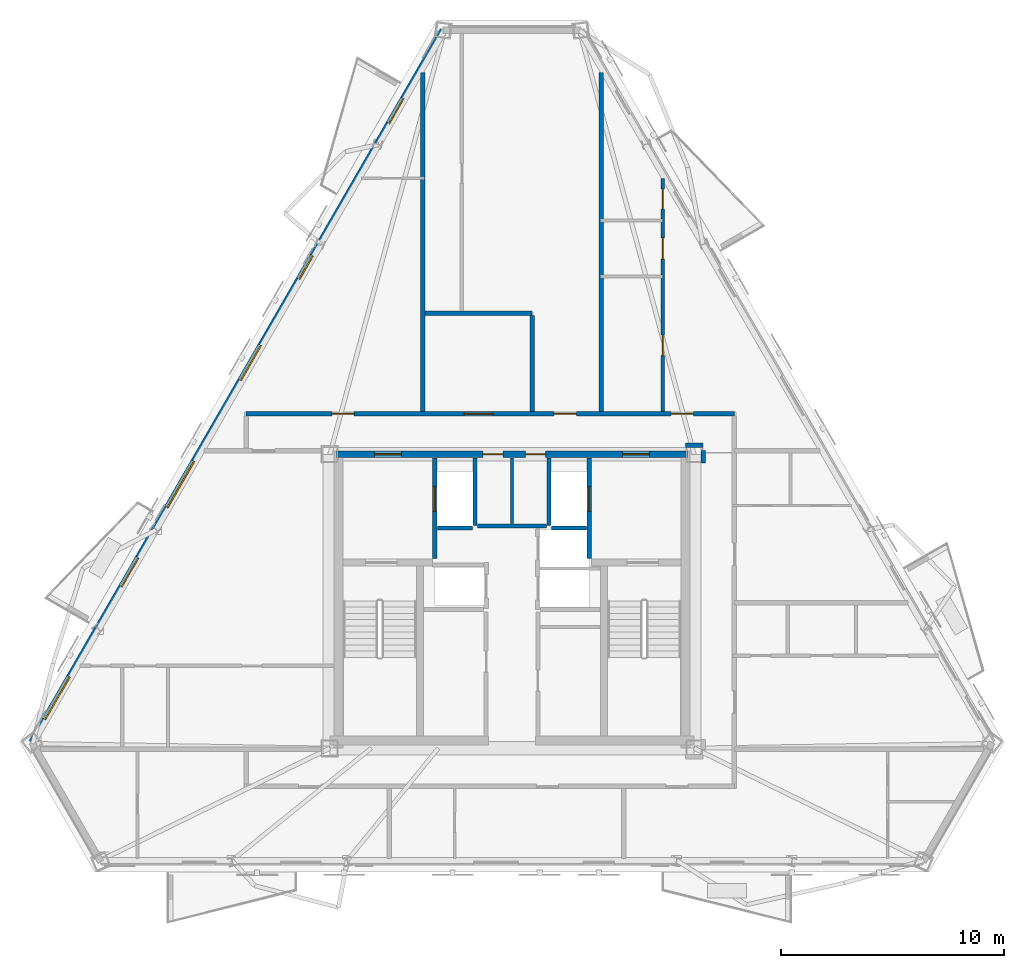
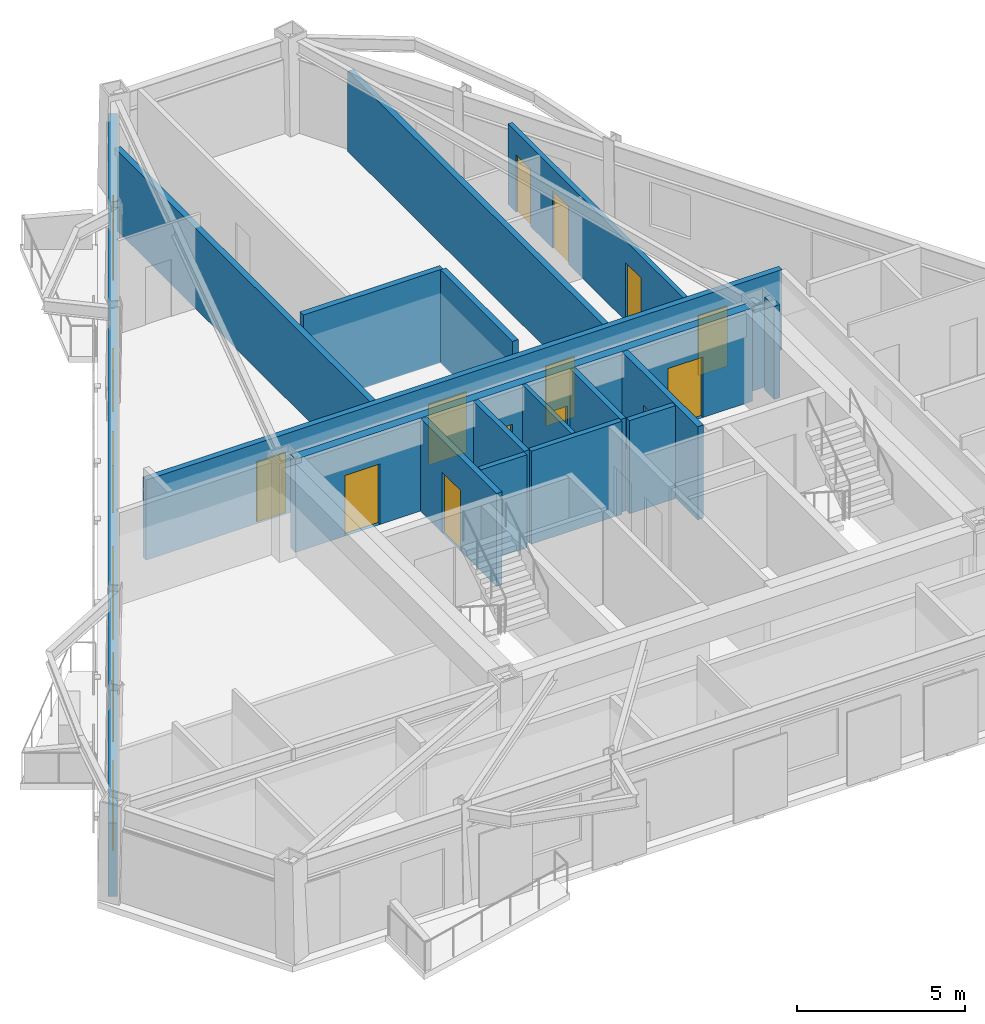
# One storey, part 4 of 9: 18 walls, 15 doors, 4 windows, 19 openings.
"""IFC4 building model written with IfcOpenShell, lengths in metres."""

from ifc_helpers import new_model, si_unit, direction, frame, frame_2d, origin, place, context, subcontext, project, spatial, rectangle, extrude, material, layer, layer_set, type_object, element, fill, save


model = new_model("IFC4")

# Units and contexts
model_context = context("Model", 3, precision=1e-05, world=origin(), true_north=direction((0.0, 1.0)))
body_context = subcontext(model_context, "Body", "Model", "MODEL_VIEW")
ifc_project = project(units=[si_unit("LENGTHUNIT", "METRE"), si_unit("AREAUNIT", "SQUARE_METRE"), si_unit("VOLUMEUNIT", "CUBIC_METRE"), si_unit("PLANEANGLEUNIT", "RADIAN"), si_unit("MASSUNIT", "GRAM", prefix="KILO")], contexts=[model_context])

# Site, building, storey
site_placement = place(None, origin())
site = spatial("IfcSite", under=ifc_project, at=site_placement, CompositionType="ELEMENT")
building_placement = place(site_placement, origin())
building = spatial("IfcBuilding", under=site, at=building_placement, Name="Oramaril Tower", CompositionType="ELEMENT")
storey_placement = place(building_placement, frame((0.0, 0.0, 230.699951171875)))
storey = spatial("IfcBuildingStorey", under=building, at=storey_placement, Name="L61", CompositionType="ELEMENT", Elevation=230.699951171875)

# Wall, openings, doors, windows
ifc_material_1 = material(Name="Warm Cream Limestone", Category="masonry")
ifc_layer_1 = layer(ifc_material_1, 0.2900390625)
ifc_layer_set_1 = layer_set([ifc_layer_1], Name="WT-EXT29")
wall_type_1 = type_object("IfcWallType", Name="WT-EXT29", PredefinedType="SOLIDWALL", material=ifc_layer_set_1)
wall_1_placement = place(storey_placement, frame((34.41357421875, 43.125732421875, 0.0), z_axis=(0.0, 0.0, 1.0), x_axis=(-0.50000331183, -0.86602349169, 0.0)))
wall_1 = element("IfcWall", 1, at=wall_1_placement, inside=storey, type_object=wall_type_1, Name="L61 Tower Limestone Facade Wall 6M", PredefinedType="SOLIDWALL", context=body_context, shape_type="SweptSolid", body=[
    extrude(rectangle(XDim=36.795166015625, YDim=0.2900390625, at=frame_2d((18.3974609375, 0.0))), origin(), (0.0, 0.0, 1.0), 2.677001953125),
])
opening_1_placement = place(wall_1_placement, frame((3.529296875, 0.0, 0.0)))
opening_1 = element("IfcOpeningElement", 2, at=opening_1_placement, cuts=wall_1, Name="Opening D-L61-BAL-NW1", PredefinedType="OPENING", context=body_context, shape_type="SweptSolid", body=[
    extrude(rectangle(XDim=1.300048828125, YDim=2.199951171875, at=frame_2d((0.64990234375, 1.10009765625))), frame((0.0, 0.14501953125, 0.0), z_axis=(0.0, -1.0, 0.0), x_axis=(1.0, 0.0, 0.0)), (0.0, 0.0, 1.0), 0.2900390625),
])
opening_2_placement = place(wall_1_placement, frame((27.2607421875, 0.0, 0.0)))
opening_2 = element("IfcOpeningElement", 3, at=opening_2_placement, cuts=wall_1, Name="Opening D-L61-BAL-NW2", PredefinedType="OPENING", context=body_context, shape_type="SweptSolid", body=[
    extrude(rectangle(XDim=1.5, YDim=2.199951171875, at=frame_2d((0.75, 1.10009765625))), frame((0.0, 0.14501953125, 0.0), z_axis=(0.0, -1.0, 0.0), x_axis=(1.0, 0.0, 0.0)), (0.0, 0.0, 1.0), 0.2900390625),
])
opening_3_placement = place(wall_1_placement, frame((22.271240234375, 0.0, 0.85009765625)))
opening_3 = element("IfcOpeningElement", 4, at=opening_3_placement, cuts=wall_1, Name="Opening WN-03", PredefinedType="OPENING", context=body_context, shape_type="SweptSolid", body=[
    extrude(rectangle(XDim=2.39990234375, YDim=1.717041015625, at=frame_2d((1.199951171875, 0.8583984375))), frame((0.0, 0.14501953125, 0.0), z_axis=(0.0, -1.0, 0.0), x_axis=(1.0, 0.0, 0.0)), (0.0, 0.0, 1.0), 0.2900390625),
])
opening_4_placement = place(wall_1_placement, frame((33.406005859375, 0.0, 0.85009765625)))
opening_4 = element("IfcOpeningElement", 5, at=opening_4_placement, cuts=wall_1, Name="Opening WN-04", PredefinedType="OPENING", context=body_context, shape_type="SweptSolid", body=[
    extrude(rectangle(XDim=2.199951171875, YDim=1.717041015625, at=frame_2d((1.10009765625, 0.8583984375))), frame((0.0, 0.14501953125, 0.0), z_axis=(0.0, -1.0, 0.0), x_axis=(1.0, 0.0, 0.0)), (0.0, 0.0, 1.0), 0.2900390625),
])
opening_5_placement = place(wall_1_placement, frame((11.662109375, 0.0, 0.85009765625)))
opening_5 = element("IfcOpeningElement", 6, at=opening_5_placement, cuts=wall_1, Name="Opening WN-09", PredefinedType="OPENING", context=body_context, shape_type="SweptSolid", body=[
    extrude(rectangle(XDim=1.199951171875, YDim=1.47998046875, at=frame_2d((0.60009765625, 0.739990234375))), frame((0.0, 0.14501953125, 0.0), z_axis=(0.0, -1.0, 0.0), x_axis=(1.0, 0.0, 0.0)), (0.0, 0.0, 1.0), 0.2900390625),
])
opening_6_placement = place(wall_1_placement, frame((16.29541015625, 0.0, 0.85009765625)))
opening_6 = element("IfcOpeningElement", 7, at=opening_6_placement, cuts=wall_1, Name="Opening WN-06", PredefinedType="OPENING", context=body_context, shape_type="SweptSolid", body=[
    extrude(rectangle(XDim=1.800048828125, YDim=1.717041015625, at=frame_2d((0.89990234375, 0.8583984375))), frame((0.0, 0.14501953125, 0.0), z_axis=(0.0, -1.0, 0.0), x_axis=(1.0, 0.0, 0.0)), (0.0, 0.0, 1.0), 0.2900390625),
])
ifc_material_2 = material(Name="Anodised Aluminium 6063-T6", Category="aluminium")
door_type_1 = type_object("IfcDoorType", Name="DT-BAL", OperationType="NOTDEFINED", PredefinedType="DOOR", material=ifc_material_2)
door_1_placement = place(opening_2_placement, origin())
door_1 = element("IfcDoor", 8, at=door_1_placement, inside=storey, type_object=door_type_1, Name="L61 Balcony Glazed Door L61-BAL-NW2", OperationType="SINGLE_SWING_LEFT", OverallHeight=2.199951171875, OverallWidth=1.5, PredefinedType="DOOR", context=body_context, shape_type="SweptSolid", body=[
    extrude(rectangle(XDim=1.5, YDim=2.199951171875, at=frame_2d((0.75, 1.10009765625))), frame((0.0, 0.02490234375, 0.0), z_axis=(0.0, -1.0, 0.0), x_axis=(1.0, 0.0, 0.0)), (0.0, 0.0, 1.0), 0.050048828125),
])
fill(opening_2, door_1)
ifc_material_3 = material(Name="Anodised Aluminium 6063-T6", Category="aluminium")
door_type_2 = type_object("IfcDoorType", Name="DT-E2", OperationType="NOTDEFINED", PredefinedType="DOOR", material=ifc_material_3)
door_2_placement = place(opening_1_placement, origin())
door_2 = element("IfcDoor", 9, at=door_2_placement, inside=storey, type_object=door_type_2, Name="L61 Balcony Glazed Door L61-BAL-NW1", OperationType="SINGLE_SWING_RIGHT", OverallHeight=2.199951171875, OverallWidth=1.300048828125, PredefinedType="DOOR", context=body_context, shape_type="SweptSolid", body=[
    extrude(rectangle(XDim=1.300048828125, YDim=2.199951171875, at=frame_2d((0.64990234375, 1.10009765625))), frame((0.0, 0.02490234375, 0.0), z_axis=(0.0, -1.0, 0.0), x_axis=(1.0, 0.0, 0.0)), (0.0, 0.0, 1.0), 0.050048828125),
])
fill(opening_1, door_2)
ifc_material_4 = material(Name="Coastal Low-E Insulated Glass", Category="glass")
window_type_1 = type_object("IfcWindowType", Name="WNT-03", PartitioningType="SINGLE_PANEL", PredefinedType="WINDOW", material=ifc_material_4)
window_1_placement = place(opening_3_placement, origin())
window_1 = element("IfcWindow", 10, at=window_1_placement, inside=storey, type_object=window_type_1, Name="L61 Chicago Bay Window WN-03", OverallHeight=1.717041015625, OverallWidth=2.39990234375, PartitioningType="SINGLE_PANEL", PredefinedType="WINDOW", context=body_context, shape_type="SweptSolid", body=[
    extrude(rectangle(XDim=2.39990234375, YDim=1.717041015625, at=frame_2d((1.199951171875, 0.8583984375))), frame((0.0, 0.030029296875, 0.0), z_axis=(0.0, -1.0, 0.0), x_axis=(1.0, 0.0, 0.0)), (0.0, 0.0, 1.0), 0.06005859375),
])
fill(opening_3, window_1)
ifc_material_5 = material(Name="Coastal Low-E Insulated Glass", Category="glass")
window_type_2 = type_object("IfcWindowType", Name="WNT-04", PartitioningType="SINGLE_PANEL", PredefinedType="WINDOW", material=ifc_material_5)
window_2_placement = place(opening_4_placement, origin())
window_2 = element("IfcWindow", 11, at=window_2_placement, inside=storey, type_object=window_type_2, Name="L61 Chicago Bay Window WN-04", OverallHeight=1.717041015625, OverallWidth=2.199951171875, PartitioningType="SINGLE_PANEL", PredefinedType="WINDOW", context=body_context, shape_type="SweptSolid", body=[
    extrude(rectangle(XDim=2.199951171875, YDim=1.717041015625, at=frame_2d((1.10009765625, 0.8583984375))), frame((0.0, 0.030029296875, 0.0), z_axis=(0.0, -1.0, 0.0), x_axis=(1.0, 0.0, 0.0)), (0.0, 0.0, 1.0), 0.06005859375),
])
fill(opening_4, window_2)
ifc_material_6 = material(Name="Coastal Low-E Insulated Glass", Category="glass")
window_type_3 = type_object("IfcWindowType", Name="WNT-06", PartitioningType="SINGLE_PANEL", PredefinedType="WINDOW", material=ifc_material_6)
window_3_placement = place(opening_6_placement, origin())
window_3 = element("IfcWindow", 12, at=window_3_placement, inside=storey, type_object=window_type_3, Name="L61 Chicago Bay Window WN-06", OverallHeight=1.717041015625, OverallWidth=1.800048828125, PartitioningType="SINGLE_PANEL", PredefinedType="WINDOW", context=body_context, shape_type="SweptSolid", body=[
    extrude(rectangle(XDim=1.800048828125, YDim=1.717041015625, at=frame_2d((0.89990234375, 0.8583984375))), frame((0.0, 0.030029296875, 0.0), z_axis=(0.0, -1.0, 0.0), x_axis=(1.0, 0.0, 0.0)), (0.0, 0.0, 1.0), 0.06005859375),
])
fill(opening_6, window_3)
ifc_material_7 = material(Name="Coastal Low-E Insulated Glass", Category="glass")
window_type_4 = type_object("IfcWindowType", Name="WNT-09", PartitioningType="SINGLE_PANEL", PredefinedType="WINDOW", material=ifc_material_7)
window_4_placement = place(opening_5_placement, origin())
window_4 = element("IfcWindow", 13, at=window_4_placement, inside=storey, type_object=window_type_4, Name="L61 Chicago Bay Window WN-09", OverallHeight=1.47998046875, OverallWidth=1.199951171875, PartitioningType="SINGLE_PANEL", PredefinedType="WINDOW", context=body_context, shape_type="SweptSolid", body=[
    extrude(rectangle(XDim=1.199951171875, YDim=1.47998046875, at=frame_2d((0.60009765625, 0.739990234375))), frame((0.0, 0.030029296875, 0.0), z_axis=(0.0, -1.0, 0.0), x_axis=(1.0, 0.0, 0.0)), (0.0, 0.0, 1.0), 0.06005859375),
])
fill(opening_5, window_4)

# Wall
ifc_material_8 = material(Name="Acoustic Gypsum Board Partition")
ifc_layer_2 = layer(ifc_material_8, 0.139892578125)
ifc_layer_set_2 = layer_set([ifc_layer_2], Name="WT-PT14")
wall_type_2 = type_object("IfcWallType", Name="WT-PT14", PredefinedType="PARTITIONING", material=ifc_layer_set_2)
wall_2_placement = place(storey_placement, frame((37.5, 21.06005859375, 0.0), z_axis=(0.0, 0.0, 1.0), x_axis=(0.0, 1.0, 0.0)))
element("IfcWall", 14, at=wall_2_placement, inside=storey, type_object=wall_type_2, Name="L61 Core Service Divider", PredefinedType="PARTITIONING", context=body_context, shape_type="SweptSolid", body=[
    extrude(rectangle(XDim=2.919921875, YDim=0.139892578125, at=frame_2d((1.4599609375, 0.0))), origin(), (0.0, 0.0, 1.0), 3.380126953125),
])

# Wall, openings, doors
ifc_material_9 = material(Name="Acoustic Gypsum Board Partition")
ifc_layer_3 = layer(ifc_material_9, 0.159912109375)
ifc_layer_set_3 = layer_set([ifc_layer_3], Name="WT-PT16")
wall_type_3 = type_object("IfcWallType", Name="WT-PT16", PredefinedType="PARTITIONING", material=ifc_layer_set_3)
wall_3_placement = place(storey_placement, frame((44.239990234375, 26.073974609375, 0.0), z_axis=(0.0, 0.0, 1.0), x_axis=(0.0, 1.0, 0.0)))
wall_3 = element("IfcWall", 15, at=wall_3_placement, inside=storey, type_object=wall_type_3, Name="L61 Interior Partition PT-16", PredefinedType="PARTITIONING", context=body_context, shape_type="SweptSolid", body=[
    extrude(rectangle(XDim=10.42578125, YDim=0.159912109375, at=frame_2d((5.212890625, 0.0))), origin(), (0.0, 0.0, 1.0), 2.9130859375),
])
opening_7_placement = place(wall_3_placement, frame((2.491943359375, 0.0, 0.0)))
opening_7 = element("IfcOpeningElement", 16, at=opening_7_placement, cuts=wall_3, Name="Opening D-L61-21", PredefinedType="OPENING", context=body_context, shape_type="SweptSolid", body=[
    extrude(rectangle(XDim=0.919921875, YDim=2.1201171875, at=frame_2d((0.4599609375, 1.06005859375))), frame((0.0, 0.080078125, 0.0), z_axis=(0.0, -1.0, 0.0), x_axis=(1.0, 0.0, 0.0)), (0.0, 0.0, 1.0), 0.159912109375),
])
opening_8_placement = place(wall_3_placement, frame((6.814453125, 0.0, 0.0)))
opening_8 = element("IfcOpeningElement", 17, at=opening_8_placement, cuts=wall_3, Name="Opening D-L61-22", PredefinedType="OPENING", context=body_context, shape_type="SweptSolid", body=[
    extrude(rectangle(XDim=0.949951171875, YDim=2.10009765625, at=frame_2d((0.47509765625, 1.050048828125))), frame((0.0, 0.080078125, 0.0), z_axis=(0.0, -1.0, 0.0), x_axis=(1.0, 0.0, 0.0)), (0.0, 0.0, 1.0), 0.159912109375),
])
opening_9_placement = place(wall_3_placement, frame((9.060791015625, 0.0, 0.0)))
opening_9 = element("IfcOpeningElement", 18, at=opening_9_placement, cuts=wall_3, Name="Opening D-L61-23", PredefinedType="OPENING", context=body_context, shape_type="SweptSolid", body=[
    extrude(rectangle(XDim=0.8798828125, YDim=2.080078125, at=frame_2d((0.43994140625, 1.0400390625))), frame((0.0, 0.080078125, 0.0), z_axis=(0.0, -1.0, 0.0), x_axis=(1.0, 0.0, 0.0)), (0.0, 0.0, 1.0), 0.159912109375),
])
ifc_material_10 = material(Name="FSC Brazilian Freijo Hardwood", Category="wood")
door_type_3 = type_object("IfcDoorType", Name="DT-BATH", OperationType="NOTDEFINED", PredefinedType="DOOR", material=ifc_material_10)
door_3_placement = place(opening_9_placement, origin())
door_3 = element("IfcDoor", 19, at=door_3_placement, inside=storey, type_object=door_type_3, Name="L61 Flat L61-U9 Bathroom Door D-L61-23", OperationType="SINGLE_SWING_RIGHT", OverallHeight=2.080078125, OverallWidth=0.8798828125, PredefinedType="DOOR", context=body_context, shape_type="SweptSolid", body=[
    extrude(rectangle(XDim=0.8798828125, YDim=2.080078125, at=frame_2d((0.43994140625, 1.0400390625))), frame((0.0, 0.02490234375, 0.0), z_axis=(0.0, -1.0, 0.0), x_axis=(1.0, 0.0, 0.0)), (0.0, 0.0, 1.0), 0.050048828125),
])
fill(opening_9, door_3)
ifc_material_11 = material(Name="FSC Brazilian Freijo Hardwood", Category="wood")
door_type_4 = type_object("IfcDoorType", Name="DT-BED", OperationType="NOTDEFINED", PredefinedType="DOOR", material=ifc_material_11)
door_4_placement = place(opening_7_placement, origin())
door_4 = element("IfcDoor", 20, at=door_4_placement, inside=storey, type_object=door_type_4, Name="L61 Flat L61-U9 Master Bedroom Door D-L61-21", OperationType="SINGLE_SWING_RIGHT", OverallHeight=2.1201171875, OverallWidth=0.919921875, PredefinedType="DOOR", context=body_context, shape_type="SweptSolid", body=[
    extrude(rectangle(XDim=0.919921875, YDim=2.1201171875, at=frame_2d((0.4599609375, 1.06005859375))), frame((0.0, 0.02490234375, 0.0), z_axis=(0.0, -1.0, 0.0), x_axis=(1.0, 0.0, 0.0)), (0.0, 0.0, 1.0), 0.050048828125),
])
fill(opening_7, door_4)
ifc_material_12 = material(Name="FSC Brazilian Freijo Hardwood", Category="wood")
door_type_5 = type_object("IfcDoorType", Name="DT-STDY", OperationType="NOTDEFINED", PredefinedType="DOOR", material=ifc_material_12)
door_5_placement = place(opening_8_placement, origin())
door_5 = element("IfcDoor", 21, at=door_5_placement, inside=storey, type_object=door_type_5, Name="L61 Flat L61-U9 Kitchen Door D-L61-22", OperationType="SINGLE_SWING_LEFT", OverallHeight=2.10009765625, OverallWidth=0.949951171875, PredefinedType="DOOR", context=body_context, shape_type="SweptSolid", body=[
    extrude(rectangle(XDim=0.949951171875, YDim=2.10009765625, at=frame_2d((0.47509765625, 1.050048828125))), frame((0.0, 0.02490234375, 0.0), z_axis=(0.0, -1.0, 0.0), x_axis=(1.0, 0.0, 0.0)), (0.0, 0.0, 1.0), 0.050048828125),
])
fill(opening_8, door_5)

# Walls
ifc_material_13 = material(Name="Autoclaved Cellular Concrete Block", Category="concrete")
ifc_layer_4 = layer(ifc_material_13, 0.179931640625)
ifc_layer_set_4 = layer_set([ifc_layer_4], Name="WT-PT18")
wall_type_4 = type_object("IfcWallType", Name="WT-PT18", PredefinedType="PARTITIONING", material=ifc_layer_set_4)
wall_4_placement = place(storey_placement, frame((35.840087890625, 20.9599609375, 0.0), z_axis=(0.0, 0.0, 1.0), x_axis=(0.0, 1.0, 0.0)))
element("IfcWall", 22, at=wall_4_placement, inside=storey, type_object=wall_type_4, Name="L61 FL-1 East Shaft Wall", PredefinedType="PARTITIONING", context=body_context, shape_type="SweptSolid", body=[
    extrude(rectangle(XDim=3.02001953125, YDim=0.179931640625, at=frame_2d((1.510009765625, 0.0))), origin(), (0.0, 0.0, 1.0), 3.380126953125),
])
wall_5_placement = place(storey_placement, frame((34.159912109375, 20.860107421875, 0.0), z_axis=(0.0, 0.0, 1.0), x_axis=(1.0, 0.0, 0.0)))
element("IfcWall", 23, at=wall_5_placement, inside=storey, type_object=wall_type_4, Name="L61 FL-1 South Shaft Wall", PredefinedType="PARTITIONING", context=body_context, shape_type="SweptSolid", body=[
    extrude(rectangle(XDim=1.580078125, YDim=0.179931640625, at=frame_2d((0.7900390625, 0.0))), origin(), (0.0, 0.0, 1.0), 3.380126953125),
])
wall_6_placement = place(storey_placement, frame((39.159912109375, 20.9599609375, 0.0), z_axis=(0.0, 0.0, 1.0), x_axis=(0.0, 1.0, 0.0)))
element("IfcWall", 24, at=wall_6_placement, inside=storey, type_object=wall_type_4, Name="L61 FL-2 West Shaft Wall", PredefinedType="PARTITIONING", context=body_context, shape_type="SweptSolid", body=[
    extrude(rectangle(XDim=3.02001953125, YDim=0.179931640625, at=frame_2d((1.510009765625, 0.0))), origin(), (0.0, 0.0, 1.0), 3.380126953125),
])
wall_7_placement = place(storey_placement, frame((39.260009765625, 20.860107421875, 0.0), z_axis=(0.0, 0.0, 1.0), x_axis=(1.0, 0.0, 0.0)))
element("IfcWall", 25, at=wall_7_placement, inside=storey, type_object=wall_type_4, Name="L61 FL-2 South Shaft Wall", PredefinedType="PARTITIONING", context=body_context, shape_type="SweptSolid", body=[
    extrude(rectangle(XDim=1.580078125, YDim=0.179931640625, at=frame_2d((0.7900390625, 0.0))), origin(), (0.0, 0.0, 1.0), 3.380126953125),
])
wall_8_placement = place(storey_placement, frame((35.949951171875, 20.949951171875, 0.0), z_axis=(0.0, 0.0, 1.0), x_axis=(1.0, 0.0, 0.0)))
element("IfcWall", 26, at=wall_8_placement, inside=storey, type_object=wall_type_4, Name="L61 Lift Lobby North Partition", PredefinedType="PARTITIONING", context=body_context, shape_type="SweptSolid", body=[
    extrude(rectangle(XDim=3.10009765625, YDim=0.179931640625, at=frame_2d((1.550048828125, 0.0))), origin(), (0.0, 0.0, 1.0), 3.380126953125),
])
ifc_material_14 = material(Name="Autoclaved Cellular Concrete Block", Category="concrete")
ifc_layer_5 = layer(ifc_material_14, 0.199951171875)
ifc_layer_set_5 = layer_set([ifc_layer_5], Name="WT-PT20")
wall_type_5 = type_object("IfcWallType", Name="WT-PT20", PredefinedType="PARTITIONING", material=ifc_layer_set_5)
wall_9_placement = place(storey_placement, frame((45.2548828125, 24.550048828125, 0.0), z_axis=(0.0, 0.0, 1.0), x_axis=(1.0, 0.0, 0.0)))
element("IfcWall", 27, at=wall_9_placement, inside=storey, type_object=wall_type_5, Name="L61 Interior Partition PT-20", PredefinedType="PARTITIONING", context=body_context, shape_type="SweptSolid", body=[
    extrude(rectangle(XDim=0.7900390625, YDim=0.199951171875, at=frame_2d((0.39501953125, 0.0))), origin(), (0.0, 0.0, 1.0), 2.9130859375),
])

# Wall, openings, doors
wall_10_placement = place(storey_placement, frame((25.60009765625, 25.969970703125, 0.0), z_axis=(0.0, 0.0, 1.0), x_axis=(1.0, 0.0, 0.0)))
wall_10 = element("IfcWall", 28, at=wall_10_placement, inside=storey, type_object=wall_type_5, Name="L61 Interior Partition PT-20", PredefinedType="PARTITIONING", context=body_context, shape_type="SweptSolid", body=[
    extrude(rectangle(XDim=21.849853515625, YDim=0.199951171875, at=frame_2d((10.9248046875, 0.0))), origin(), (0.0, 0.0, 1.0), 2.9130859375),
])
opening_10_placement = place(wall_10_placement, frame((3.841064453125, 0.0, 0.0)))
opening_10 = element("IfcOpeningElement", 29, at=opening_10_placement, cuts=wall_10, Name="Opening D-L61-13", PredefinedType="OPENING", context=body_context, shape_type="SweptSolid", body=[
    extrude(rectangle(XDim=1.0, YDim=2.179931640625, at=frame_2d((0.5, 1.08984375))), frame((0.0, 0.10009765625, 0.0), z_axis=(0.0, -1.0, 0.0), x_axis=(1.0, 0.0, 0.0)), (0.0, 0.0, 1.0), 0.199951171875),
])
opening_11_placement = place(wall_10_placement, frame((9.75, 0.0, 0.0)))
opening_11 = element("IfcOpeningElement", 30, at=opening_11_placement, cuts=wall_10, Name="Opening D-L61-14", PredefinedType="OPENING", context=body_context, shape_type="SweptSolid", body=[
    extrude(rectangle(XDim=1.300048828125, YDim=2.199951171875, at=frame_2d((0.64990234375, 1.10009765625))), frame((0.0, 0.10009765625, 0.0), z_axis=(0.0, -1.0, 0.0), x_axis=(1.0, 0.0, 0.0)), (0.0, 0.0, 1.0), 0.199951171875),
])
opening_12_placement = place(wall_10_placement, frame((13.77685546875, 0.0, 0.0)))
opening_12 = element("IfcOpeningElement", 31, at=opening_12_placement, cuts=wall_10, Name="Opening D-L61-15", PredefinedType="OPENING", context=body_context, shape_type="SweptSolid", body=[
    extrude(rectangle(XDim=1.0, YDim=2.179931640625, at=frame_2d((0.5, 1.08984375))), frame((0.0, 0.10009765625, 0.0), z_axis=(0.0, -1.0, 0.0), x_axis=(1.0, 0.0, 0.0)), (0.0, 0.0, 1.0), 0.199951171875),
])
opening_13_placement = place(wall_10_placement, frame((19.01611328125, 0.0, 0.0)))
opening_13 = element("IfcOpeningElement", 32, at=opening_13_placement, cuts=wall_10, Name="Opening D-L61-16", PredefinedType="OPENING", context=body_context, shape_type="SweptSolid", body=[
    extrude(rectangle(XDim=1.0, YDim=2.179931640625, at=frame_2d((0.5, 1.08984375))), frame((0.0, 0.10009765625, 0.0), z_axis=(0.0, -1.0, 0.0), x_axis=(1.0, 0.0, 0.0)), (0.0, 0.0, 1.0), 0.199951171875),
])
ifc_material_15 = material(Name="FSC Brazilian Freijo Hardwood", Category="wood")
door_type_6 = type_object("IfcDoorType", Name="DT-APT", OperationType="NOTDEFINED", PredefinedType="DOOR", material=ifc_material_15)
door_6_placement = place(opening_10_placement, origin())
door_6 = element("IfcDoor", 33, at=door_6_placement, inside=storey, type_object=door_type_6, Name="L61 Flat L61-U7 Kitchen and Studio Apartment Door D-L61-13", OperationType="SINGLE_SWING_RIGHT", OverallHeight=2.179931640625, OverallWidth=1.0, PredefinedType="DOOR", context=body_context, shape_type="SweptSolid", body=[
    extrude(rectangle(XDim=1.0, YDim=2.179931640625, at=frame_2d((0.5, 1.08984375))), frame((0.0, 0.02490234375, 0.0), z_axis=(0.0, -1.0, 0.0), x_axis=(1.0, 0.0, 0.0)), (0.0, 0.0, 1.0), 0.050048828125),
])
fill(opening_10, door_6)
door_7_placement = place(opening_12_placement, origin())
door_7 = element("IfcDoor", 34, at=door_7_placement, inside=storey, type_object=door_type_6, Name="L61 Flat L61-U8 Kitchen and Studio Apartment Door D-L61-15", OperationType="SINGLE_SWING_RIGHT", OverallHeight=2.179931640625, OverallWidth=1.0, PredefinedType="DOOR", context=body_context, shape_type="SweptSolid", body=[
    extrude(rectangle(XDim=1.0, YDim=2.179931640625, at=frame_2d((0.5, 1.08984375))), frame((0.0, 0.02490234375, 0.0), z_axis=(0.0, -1.0, 0.0), x_axis=(1.0, 0.0, 0.0)), (0.0, 0.0, 1.0), 0.050048828125),
])
fill(opening_12, door_7)
door_8_placement = place(opening_13_placement, origin())
door_8 = element("IfcDoor", 35, at=door_8_placement, inside=storey, type_object=door_type_6, Name="L61 Flat L61-U9 Living and Dining Room Door D-L61-16", OperationType="SINGLE_SWING_LEFT", OverallHeight=2.179931640625, OverallWidth=1.0, PredefinedType="DOOR", context=body_context, shape_type="SweptSolid", body=[
    extrude(rectangle(XDim=1.0, YDim=2.179931640625, at=frame_2d((0.5, 1.08984375))), frame((0.0, 0.02490234375, 0.0), z_axis=(0.0, -1.0, 0.0), x_axis=(1.0, 0.0, 0.0)), (0.0, 0.0, 1.0), 0.050048828125),
])
fill(opening_13, door_8)
ifc_material_16 = material(Name="FSC Brazilian Freijo Hardwood", Category="wood")
door_type_7 = type_object("IfcDoorType", Name="DT-COM", OperationType="NOTDEFINED", PredefinedType="DOOR", material=ifc_material_16)
door_9_placement = place(opening_11_placement, origin())
door_9 = element("IfcDoor", 36, at=door_9_placement, inside=storey, type_object=door_type_7, Name="L61 L61 Floor Co-Working Office Suite Door D-L61-14", OperationType="SINGLE_SWING_LEFT", OverallHeight=2.199951171875, OverallWidth=1.300048828125, PredefinedType="DOOR", context=body_context, shape_type="SweptSolid", body=[
    extrude(rectangle(XDim=1.300048828125, YDim=2.199951171875, at=frame_2d((0.64990234375, 1.10009765625))), frame((0.0, 0.02490234375, 0.0), z_axis=(0.0, -1.0, 0.0), x_axis=(1.0, 0.0, 0.0)), (0.0, 0.0, 1.0), 0.050048828125),
])
fill(opening_11, door_9)

# Walls
wall_11_placement = place(storey_placement, frame((33.60009765625, 30.469970703125, 0.0), z_axis=(0.0, 0.0, 1.0), x_axis=(1.0, 0.0, 0.0)))
element("IfcWall", 37, at=wall_11_placement, inside=storey, type_object=wall_type_5, Name="L61 Interior Partition PT-20", PredefinedType="PARTITIONING", context=body_context, shape_type="SweptSolid", body=[
    extrude(rectangle(XDim=4.7998046875, YDim=0.199951171875, at=frame_2d((2.39990234375, 0.0))), origin(), (0.0, 0.0, 1.0), 3.380126953125),
])
wall_12_placement = place(storey_placement, frame((33.5, 26.073974609375, 0.0), z_axis=(0.0, 0.0, 1.0), x_axis=(0.0, 1.0, 0.0)))
element("IfcWall", 38, at=wall_12_placement, inside=storey, type_object=wall_type_5, Name="L61 Interior Partition PT-20", PredefinedType="PARTITIONING", context=body_context, shape_type="SweptSolid", body=[
    extrude(rectangle(XDim=15.171630859375, YDim=0.199951171875, at=frame_2d((7.5859375, 0.0))), origin(), (0.0, 0.0, 1.0), 2.9130859375),
])
wall_13_placement = place(storey_placement, frame((38.39990234375, 26.073974609375, 0.0), z_axis=(0.0, 0.0, 1.0), x_axis=(0.0, 1.0, 0.0)))
element("IfcWall", 39, at=wall_13_placement, inside=storey, type_object=wall_type_5, Name="L61 Interior Partition PT-20", PredefinedType="PARTITIONING", context=body_context, shape_type="SweptSolid", body=[
    extrude(rectangle(XDim=4.2919921875, YDim=0.199951171875, at=frame_2d((2.14599609375, 0.0))), origin(), (0.0, 0.0, 1.0), 3.380126953125),
])
wall_14_placement = place(storey_placement, frame((41.5, 26.073974609375, 0.0), z_axis=(0.0, 0.0, 1.0), x_axis=(0.0, 1.0, 0.0)))
element("IfcWall", 40, at=wall_14_placement, inside=storey, type_object=wall_type_5, Name="L61 Interior Partition PT-20", PredefinedType="PARTITIONING", context=body_context, shape_type="SweptSolid", body=[
    extrude(rectangle(XDim=15.171630859375, YDim=0.199951171875, at=frame_2d((7.5859375, 0.0))), origin(), (0.0, 0.0, 1.0), 2.9130859375),
])
wall_15_placement = place(storey_placement, frame((46.050048828125, 23.7548828125, 0.0), z_axis=(0.0, 0.0, 1.0), x_axis=(0.0, 1.0, 0.0)))
element("IfcWall", 41, at=wall_15_placement, inside=storey, type_object=wall_type_5, Name="L61 Interior Partition PT-20", PredefinedType="PARTITIONING", context=body_context, shape_type="SweptSolid", body=[
    extrude(rectangle(XDim=0.565185546875, YDim=0.199951171875, at=frame_2d((0.28271484375, 0.0))), origin(), (0.0, 0.0, 1.0), 3.380126953125),
])

# Wall, openings, doors
ifc_material_17 = material(Name="Concrete C50/60", Category="concrete")
ifc_layer_6 = layer(ifc_material_17, 0.300048828125)
ifc_layer_set_6 = layer_set([ifc_layer_6], Name="WT-SH30")
wall_type_6 = type_object("IfcWallType", Name="WT-SH30", PredefinedType="SHEAR", material=ifc_layer_set_6)
wall_16_placement = place(storey_placement, frame((29.64990234375, 24.14990234375, 0.0), z_axis=(0.0, 0.0, 1.0), x_axis=(1.0, 0.0, 0.0)))
wall_16 = element("IfcWall", 42, at=wall_16_placement, inside=storey, type_object=wall_type_6, Name="L61 Core Shear Wall CW-N", PredefinedType="SHEAR", context=body_context, shape_type="SweptSolid", body=[
    extrude(rectangle(XDim=15.7001953125, YDim=0.300048828125, at=frame_2d((7.85009765625, 0.0))), origin(), (0.0, 0.0, 1.0), 3.380126953125),
])
opening_14_placement = place(wall_16_placement, frame((1.699951171875, 0.0, 0.0)))
opening_14 = element("IfcOpeningElement", 43, at=opening_14_placement, cuts=wall_16, Name="Opening D-L61-FFL1", PredefinedType="OPENING", context=body_context, shape_type="SweptSolid", body=[
    extrude(rectangle(XDim=1.199951171875, YDim=2.199951171875, at=frame_2d((0.60009765625, 1.10009765625))), frame((0.0, 0.14990234375, 0.0), z_axis=(0.0, -1.0, 0.0), x_axis=(1.0, 0.0, 0.0)), (0.0, 0.0, 1.0), 0.300048828125),
])
opening_15_placement = place(wall_16_placement, frame((12.800048828125, 0.0, 0.0)))
opening_15 = element("IfcOpeningElement", 44, at=opening_15_placement, cuts=wall_16, Name="Opening D-L61-FFL2", PredefinedType="OPENING", context=body_context, shape_type="SweptSolid", body=[
    extrude(rectangle(XDim=1.199951171875, YDim=2.199951171875, at=frame_2d((0.60009765625, 1.10009765625))), frame((0.0, 0.14990234375, 0.0), z_axis=(0.0, -1.0, 0.0), x_axis=(1.0, 0.0, 0.0)), (0.0, 0.0, 1.0), 0.300048828125),
])
opening_16_placement = place(wall_16_placement, frame((6.550048828125, 0.0, 0.0)))
opening_16 = element("IfcOpeningElement", 45, at=opening_16_placement, cuts=wall_16, Name="Opening D-L61-SV1", PredefinedType="OPENING", context=body_context, shape_type="SweptSolid", body=[
    extrude(rectangle(XDim=0.89990234375, YDim=2.050048828125, at=frame_2d((0.449951171875, 1.02490234375))), frame((0.0, 0.14990234375, 0.0), z_axis=(0.0, -1.0, 0.0), x_axis=(1.0, 0.0, 0.0)), (0.0, 0.0, 1.0), 0.300048828125),
])
opening_17_placement = place(wall_16_placement, frame((8.449951171875, 0.0, 0.0)))
opening_17 = element("IfcOpeningElement", 46, at=opening_17_placement, cuts=wall_16, Name="Opening D-L61-SV2", PredefinedType="OPENING", context=body_context, shape_type="SweptSolid", body=[
    extrude(rectangle(XDim=0.89990234375, YDim=2.050048828125, at=frame_2d((0.449951171875, 1.02490234375))), frame((0.0, 0.14990234375, 0.0), z_axis=(0.0, -1.0, 0.0), x_axis=(1.0, 0.0, 0.0)), (0.0, 0.0, 1.0), 0.300048828125),
])
ifc_material_18 = material(Name="Painted Galvanised Steel", Category="steel")
door_type_8 = type_object("IfcDoorType", Name="DT-FFL", OperationType="NOTDEFINED", PredefinedType="DOOR", material=ifc_material_18)
door_10_placement = place(opening_14_placement, origin())
door_10 = element("IfcDoor", 47, at=door_10_placement, inside=storey, type_object=door_type_8, Name="L61 Firefighting Lobby 1 Fire Door", OperationType="SINGLE_SWING_LEFT", OverallHeight=2.199951171875, OverallWidth=1.199951171875, PredefinedType="DOOR", context=body_context, shape_type="SweptSolid", body=[
    extrude(rectangle(XDim=1.199951171875, YDim=2.199951171875, at=frame_2d((0.60009765625, 1.10009765625))), frame((0.0, 0.02490234375, 0.0), z_axis=(0.0, -1.0, 0.0), x_axis=(1.0, 0.0, 0.0)), (0.0, 0.0, 1.0), 0.050048828125),
])
fill(opening_14, door_10)
door_11_placement = place(opening_15_placement, origin())
door_11 = element("IfcDoor", 48, at=door_11_placement, inside=storey, type_object=door_type_8, Name="L61 Firefighting Lobby 2 Fire Door", OperationType="SINGLE_SWING_RIGHT", OverallHeight=2.199951171875, OverallWidth=1.199951171875, PredefinedType="DOOR", context=body_context, shape_type="SweptSolid", body=[
    extrude(rectangle(XDim=1.199951171875, YDim=2.199951171875, at=frame_2d((0.60009765625, 1.10009765625))), frame((0.0, 0.02490234375, 0.0), z_axis=(0.0, -1.0, 0.0), x_axis=(1.0, 0.0, 0.0)), (0.0, 0.0, 1.0), 0.050048828125),
])
fill(opening_15, door_11)
ifc_material_19 = material(Name="Painted Galvanised Steel", Category="steel")
door_type_9 = type_object("IfcDoorType", Name="DT-SVC", OperationType="NOTDEFINED", PredefinedType="DOOR", material=ifc_material_19)
door_12_placement = place(opening_16_placement, origin())
door_12 = element("IfcDoor", 49, at=door_12_placement, inside=storey, type_object=door_type_9, Name="L61 Core Service Store 1 Door", OperationType="SINGLE_SWING_LEFT", OverallHeight=2.050048828125, OverallWidth=0.89990234375, PredefinedType="DOOR", context=body_context, shape_type="SweptSolid", body=[
    extrude(rectangle(XDim=0.89990234375, YDim=2.050048828125, at=frame_2d((0.449951171875, 1.02490234375))), frame((0.0, 0.02490234375, 0.0), z_axis=(0.0, -1.0, 0.0), x_axis=(1.0, 0.0, 0.0)), (0.0, 0.0, 1.0), 0.050048828125),
])
fill(opening_16, door_12)
door_13_placement = place(opening_17_placement, origin())
door_13 = element("IfcDoor", 50, at=door_13_placement, inside=storey, type_object=door_type_9, Name="L61 Core Service Store 2 Door", OperationType="SINGLE_SWING_RIGHT", OverallHeight=2.050048828125, OverallWidth=0.89990234375, PredefinedType="DOOR", context=body_context, shape_type="SweptSolid", body=[
    extrude(rectangle(XDim=0.89990234375, YDim=2.050048828125, at=frame_2d((0.449951171875, 1.02490234375))), frame((0.0, 0.02490234375, 0.0), z_axis=(0.0, -1.0, 0.0), x_axis=(1.0, 0.0, 0.0)), (0.0, 0.0, 1.0), 0.050048828125),
])
fill(opening_17, door_13)

# Wall, opening, door
ifc_material_20 = material(Name="Autoclaved Cellular Concrete Block", Category="concrete")
ifc_layer_7 = layer(ifc_material_20, 0.199951171875)
ifc_layer_set_7 = layer_set([ifc_layer_7], Name="WT-SHF20")
wall_type_7 = type_object("IfcWallType", Name="WT-SHF20", PredefinedType="PARTITIONING", material=ifc_layer_set_7)
wall_17_placement = place(storey_placement, frame((34.0400390625, 19.47998046875, 0.0), z_axis=(0.0, 0.0, 1.0), x_axis=(0.0, 1.0, 0.0)))
wall_17 = element("IfcWall", 51, at=wall_17_placement, inside=storey, type_object=wall_type_7, Name="L61 FL-1 Lobby Shaft Wall", PredefinedType="PARTITIONING", context=body_context, shape_type="SweptSolid", body=[
    extrude(rectangle(XDim=4.5, YDim=0.199951171875, at=frame_2d((2.25, 0.0))), origin(), (0.0, 0.0, 1.0), 3.380126953125),
])
opening_18_placement = place(wall_17_placement, frame((2.1201171875, 0.0, 0.0)))
opening_18 = element("IfcOpeningElement", 52, at=opening_18_placement, cuts=wall_17, Name="Opening LD-L61-FL-1", PredefinedType="OPENING", context=body_context, shape_type="SweptSolid", body=[
    extrude(rectangle(XDim=1.10009765625, YDim=2.199951171875, at=frame_2d((0.550048828125, 1.10009765625))), frame((0.0, 0.10009765625, 0.0), z_axis=(0.0, -1.0, 0.0), x_axis=(1.0, 0.0, 0.0)), (0.0, 0.0, 1.0), 0.199951171875),
])
ifc_material_21 = material(Name="Stainless Steel 316L", Category="steel")
door_type_10 = type_object("IfcDoorType", Name="DT-LD1", OperationType="NOTDEFINED", PredefinedType="DOOR", material=ifc_material_21)
door_14_placement = place(opening_18_placement, origin())
door_14 = element("IfcDoor", 53, at=door_14_placement, inside=storey, type_object=door_type_10, Name="L61 Lift FL-1 Sliding Landing Door", OperationType="SLIDING_TO_LEFT", OverallHeight=2.199951171875, OverallWidth=1.10009765625, PredefinedType="DOOR", context=body_context, shape_type="SweptSolid", body=[
    extrude(rectangle(XDim=1.10009765625, YDim=2.199951171875, at=frame_2d((0.550048828125, 1.10009765625))), frame((0.0, 0.02490234375, 0.0), z_axis=(0.0, -1.0, 0.0), x_axis=(1.0, 0.0, 0.0)), (0.0, 0.0, 1.0), 0.050048828125),
])
fill(opening_18, door_14)

wall_18_placement = place(storey_placement, frame((40.9599609375, 19.47998046875, 0.0), z_axis=(0.0, 0.0, 1.0), x_axis=(0.0, 1.0, 0.0)))
wall_18 = element("IfcWall", 54, at=wall_18_placement, inside=storey, type_object=wall_type_7, Name="L61 FL-2 Lobby Shaft Wall", PredefinedType="PARTITIONING", context=body_context, shape_type="SweptSolid", body=[
    extrude(rectangle(XDim=4.5, YDim=0.199951171875, at=frame_2d((2.25, 0.0))), origin(), (0.0, 0.0, 1.0), 3.380126953125),
])
opening_19_placement = place(wall_18_placement, frame((2.1201171875, 0.0, 0.0)))
opening_19 = element("IfcOpeningElement", 55, at=opening_19_placement, cuts=wall_18, Name="Opening LD-L61-FL-2", PredefinedType="OPENING", context=body_context, shape_type="SweptSolid", body=[
    extrude(rectangle(XDim=1.10009765625, YDim=2.199951171875, at=frame_2d((0.550048828125, 1.10009765625))), frame((0.0, 0.10009765625, 0.0), z_axis=(0.0, -1.0, 0.0), x_axis=(1.0, 0.0, 0.0)), (0.0, 0.0, 1.0), 0.199951171875),
])
door_15_placement = place(opening_19_placement, origin())
door_15 = element("IfcDoor", 56, at=door_15_placement, inside=storey, type_object=door_type_10, Name="L61 Lift FL-2 Sliding Landing Door", OperationType="SLIDING_TO_RIGHT", OverallHeight=2.199951171875, OverallWidth=1.10009765625, PredefinedType="DOOR", context=body_context, shape_type="SweptSolid", body=[
    extrude(rectangle(XDim=1.10009765625, YDim=2.199951171875, at=frame_2d((0.550048828125, 1.10009765625))), frame((0.0, 0.02490234375, 0.0), z_axis=(0.0, -1.0, 0.0), x_axis=(1.0, 0.0, 0.0)), (0.0, 0.0, 1.0), 0.050048828125),
])
fill(opening_19, door_15)

save(model, "model.ifc")
